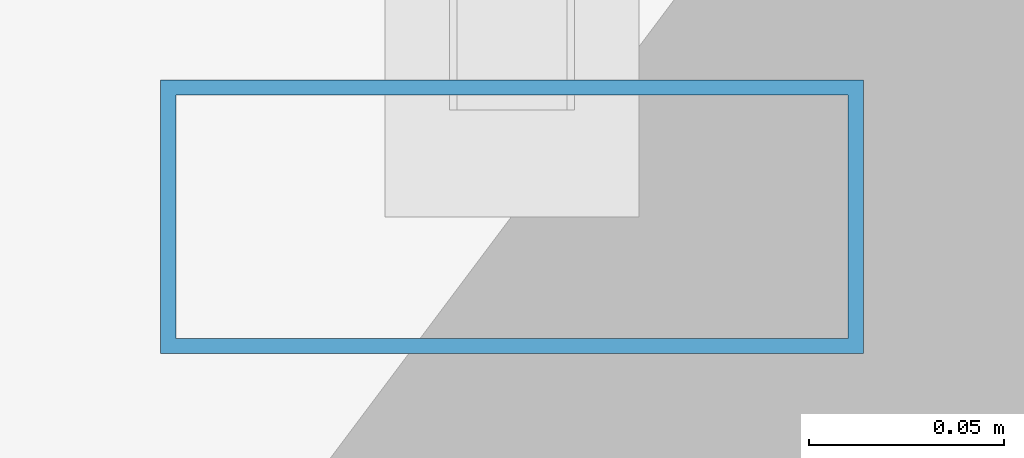
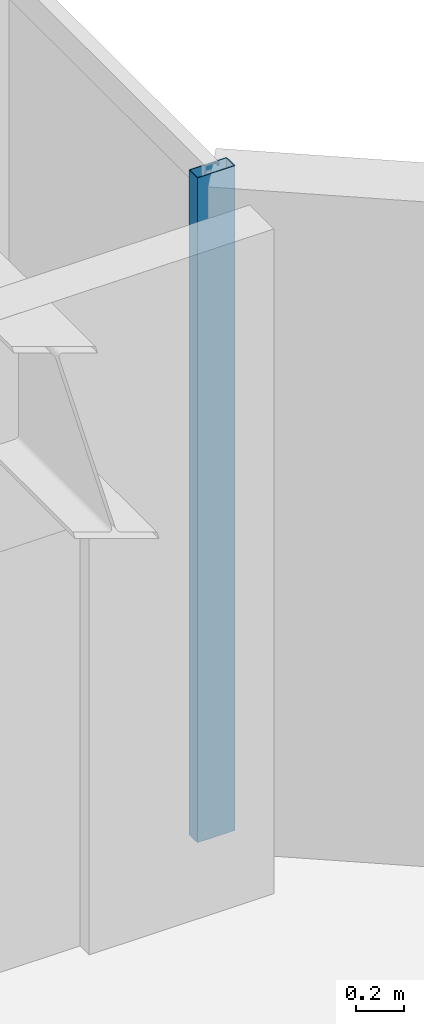
# One storey, part 15 of 29: 1 member, 1 element without a shape of its own.
"""IFC4 building model written with IfcOpenShell, lengths in metres."""

from ifc_helpers import new_model, si_unit, direction, frame, origin, origin_2d, place, context, subcontext, project, spatial, hollow_rectangle, extrude, material, layer, layer_set, material_profile, profile_set, type_object, element, aggregate, save


model = new_model("IFC4")

# Units and contexts
model_context = context("Model", 3, precision=1e-05, world=origin(), true_north=direction((0.0, 1.0)))
body_context = subcontext(model_context, "Body", "Model", "MODEL_VIEW")
ifc_project = project(units=[si_unit("LENGTHUNIT", "METRE"), si_unit("AREAUNIT", "SQUARE_METRE"), si_unit("VOLUMEUNIT", "CUBIC_METRE"), si_unit("PLANEANGLEUNIT", "RADIAN"), si_unit("MASSUNIT", "GRAM", prefix="KILO")], contexts=[model_context])

# Site, building, storey
site_placement = place(None, origin())
site = spatial("IfcSite", under=ifc_project, at=site_placement, CompositionType="ELEMENT")
building_placement = place(site_placement, origin())
building = spatial("IfcBuilding", under=site, at=building_placement, Name="Hatsunagi Terrace Concourse", CompositionType="ELEMENT")
storey_placement = place(building_placement, frame((0.0, 0.0, 149.25)))
storey = spatial("IfcBuildingStorey", under=building, at=storey_placement, Name="L39", CompositionType="ELEMENT", Elevation=149.25)

# Curtain wall, member
ifc_material_1 = material(Name="Anodised Aluminium Alloy 6063-T5", Category="aluminium")
ifc_layer = layer(ifc_material_1, 0.199951171875)
ifc_layer_set = layer_set([ifc_layer], Name="OfficeZone1_CW03")
curtain_wall_type = type_object("IfcCurtainWallType", Name="OfficeZone1_CW03", PredefinedType="NOTDEFINED", material=ifc_layer_set)
curtain_wall_placement = place(storey_placement, origin())
curtain_wall = element("IfcCurtainWall", 1, at=curtain_wall_placement, inside=storey, type_object=curtain_wall_type, Name="Unitised Curtain Wall CW-03 CW-L39-13", PredefinedType="NOTDEFINED")
ifc_material_2 = material(Name="Anodised Aluminium Alloy 6063-T5", Category="aluminium")
ifc_material_profile = material_profile(ifc_material_2, hollow_rectangle(XDim=0.070068359375, YDim=0.179931640625, WallThickness=0.00390625, at=origin_2d()), Name="ALU-MUL-180x70x4")
ifc_profile_set = profile_set([ifc_material_profile], Name="Anodised Aluminium Alloy 6063-T5")
member_type = type_object("IfcMemberType", Name="CurtainWallMullion_180x70", PredefinedType="MULLION", material=ifc_profile_set)
member_placement = place(storey_placement, frame((44.860107421875, 40.72998046875, 0.0), z_axis=(0.0, 0.0, 1.0), x_axis=(0.0, -1.0, 0.0)))
member = element("IfcMember", 2, at=member_placement, type_object=member_type, Name="Curtain Wall Mullion MUL-02", PredefinedType="MULLION", context=body_context, shape_type="SweptSolid", body=[
    extrude(hollow_rectangle(XDim=0.070068359375, YDim=0.179931640625, WallThickness=0.00390625, at=origin_2d()), origin(), (0.0, 0.0, 1.0), 3.35009765625),
])
aggregate(curtain_wall, [member])

save(model, "model.ifc")
